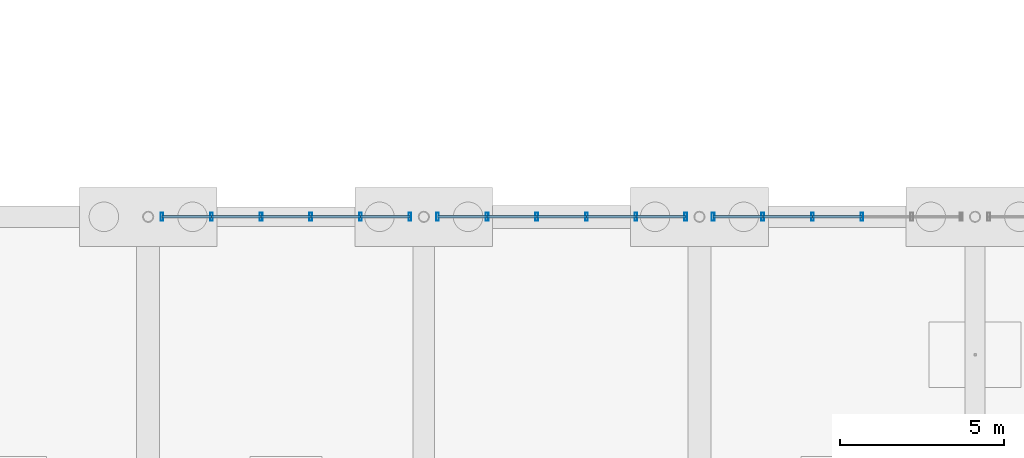
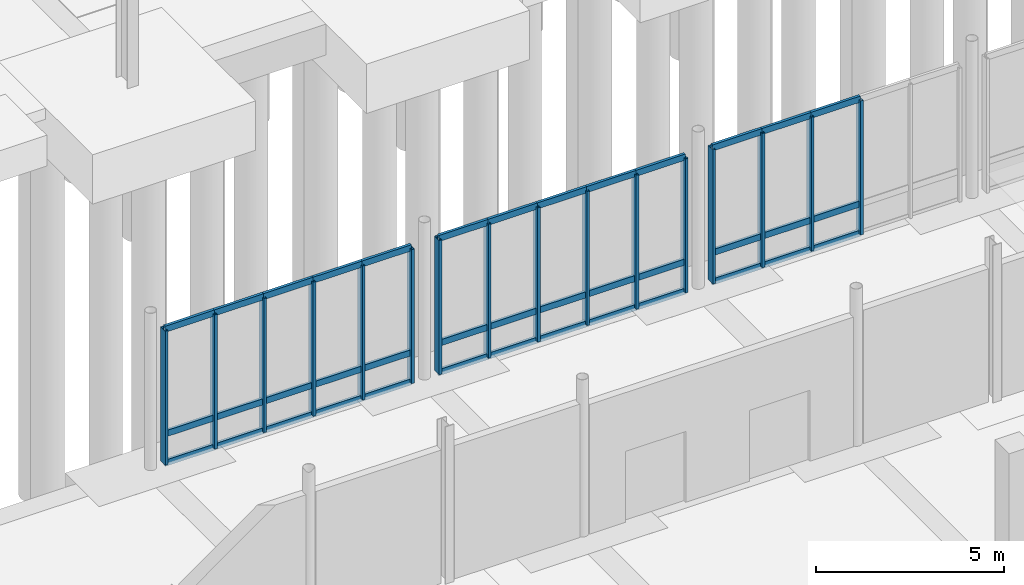
# One storey, part 43 of 119: 55 members, 3 elements without a shape of their own.
"""IFC4 building model written with IfcOpenShell, lengths in metres."""

from ifc_helpers import new_model, si_unit, derived_unit, direction, frame, origin, origin_2d, place, context, subcontext, project, spatial, hollow_rectangle, extrude, material, layer, layer_set, material_profile, profile_set, type_object, element, aggregate, save


model = new_model("IFC4")

# Units and contexts
model_context = context("Model", 3, precision=1e-05, world=origin(), true_north=direction((0.0, 1.0)))
body_context = subcontext(model_context, "Body", "Model", "MODEL_VIEW")
ifc_project = project(units=[si_unit("LENGTHUNIT", "METRE"), si_unit("AREAUNIT", "SQUARE_METRE"), si_unit("VOLUMEUNIT", "CUBIC_METRE"), si_unit("PLANEANGLEUNIT", "RADIAN"), si_unit("MASSUNIT", "GRAM", prefix="KILO"), derived_unit("THERMALTRANSMITTANCEUNIT", [(si_unit("MASSUNIT", "GRAM", prefix="KILO"), 1), (si_unit("TIMEUNIT", "SECOND"), -3), (si_unit("THERMODYNAMICTEMPERATUREUNIT", "KELVIN"), -1)])], contexts=[model_context])

# Site, building, storey
site_placement = place(None, origin())
site = spatial("IfcSite", under=ifc_project, at=site_placement, CompositionType="ELEMENT")
building_placement = place(site_placement, origin())
building = spatial("IfcBuilding", under=site, at=building_placement, Name="Makaiwela Harbour Ferry Terminal", CompositionType="ELEMENT")
storey_placement = place(building_placement, origin())
storey = spatial("IfcBuildingStorey", under=building, at=storey_placement, Name="L00", CompositionType="ELEMENT", Elevation=0.0)

# Curtain wall, members
ifc_material = material(Name="Marine anodised aluminium 6063-T6", Category="aluminium")
ifc_layer = layer(ifc_material, 0.199951171875)
ifc_layer_set = layer_set([ifc_layer], Name="Marine anodised aluminium 6063-T6")
curtain_wall_type = type_object("IfcCurtainWallType", Name="ENV-CW-10", PredefinedType="USERDEFINED", material=ifc_layer_set)
curtain_wall_1_placement = place(storey_placement, origin())
curtain_wall_1 = element("IfcCurtainWall", 1, at=curtain_wall_1_placement, inside=storey, type_object=curtain_wall_type, Name="Unitised Curtain Wall CWA-140", ObjectType="UNITIZED CURTAIN WALL", PredefinedType="USERDEFINED")
ifc_material_profile_1 = material_profile(ifc_material, hollow_rectangle(XDim=0.0849609375, YDim=0.25, WallThickness=0.0048828125, at=origin_2d()), Name="CWM-250X85")
ifc_profile_set_1 = profile_set([ifc_material_profile_1], Name="Marine anodised aluminium 6063-T6")
member_type_1 = type_object("IfcMemberType", Name="CW-MUL-250", PredefinedType="MULLION", material=ifc_profile_set_1)
member_1_placement = place(storey_placement, frame((87.780029296875, 33.60009765625, 0.0), z_axis=(0.0, 0.0, 1.0), x_axis=(1.0, 0.0, 0.0)))
member_1 = element("IfcMember", 2, at=member_1_placement, type_object=member_type_1, Name="Curtain Wall Mullion CWA-140-1", PredefinedType="MULLION", context=body_context, shape_type="SweptSolid", body=[
    extrude(hollow_rectangle(XDim=0.0849609375, YDim=0.25, WallThickness=0.0048828125, at=origin_2d()), origin(), (0.0, 0.0, 1.0), 4.35009765625),
])
member_2_placement = place(storey_placement, frame((86.26806640625, 33.60009765625, 0.0), z_axis=(0.0, 0.0, 1.0), x_axis=(1.0, 0.0, 0.0)))
member_2 = element("IfcMember", 3, at=member_2_placement, type_object=member_type_1, Name="Curtain Wall Mullion CWA-140-2", PredefinedType="MULLION", context=body_context, shape_type="SweptSolid", body=[
    extrude(hollow_rectangle(XDim=0.0849609375, YDim=0.25, WallThickness=0.0048828125, at=origin_2d()), origin(), (0.0, 0.0, 1.0), 4.35009765625),
])
member_3_placement = place(storey_placement, frame((84.756103515625, 33.60009765625, 0.0), z_axis=(0.0, 0.0, 1.0), x_axis=(1.0, 0.0, 0.0)))
member_3 = element("IfcMember", 4, at=member_3_placement, type_object=member_type_1, Name="Curtain Wall Mullion CWA-140-3", PredefinedType="MULLION", context=body_context, shape_type="SweptSolid", body=[
    extrude(hollow_rectangle(XDim=0.0849609375, YDim=0.25, WallThickness=0.0048828125, at=origin_2d()), origin(), (0.0, 0.0, 1.0), 4.35009765625),
])
member_4_placement = place(storey_placement, frame((83.243896484375, 33.60009765625, 0.0), z_axis=(0.0, 0.0, 1.0), x_axis=(1.0, 0.0, 0.0)))
member_4 = element("IfcMember", 5, at=member_4_placement, type_object=member_type_1, Name="Curtain Wall Mullion CWA-140-4", PredefinedType="MULLION", context=body_context, shape_type="SweptSolid", body=[
    extrude(hollow_rectangle(XDim=0.0849609375, YDim=0.25, WallThickness=0.0048828125, at=origin_2d()), origin(), (0.0, 0.0, 1.0), 4.35009765625),
])
member_5_placement = place(storey_placement, frame((81.73193359375, 33.60009765625, 0.0), z_axis=(0.0, 0.0, 1.0), x_axis=(1.0, 0.0, 0.0)))
member_5 = element("IfcMember", 6, at=member_5_placement, type_object=member_type_1, Name="Curtain Wall Mullion CWA-140-5", PredefinedType="MULLION", context=body_context, shape_type="SweptSolid", body=[
    extrude(hollow_rectangle(XDim=0.0849609375, YDim=0.25, WallThickness=0.0048828125, at=origin_2d()), origin(), (0.0, 0.0, 1.0), 4.35009765625),
])
member_6_placement = place(storey_placement, frame((80.219970703125, 33.60009765625, 0.0), z_axis=(0.0, 0.0, 1.0), x_axis=(1.0, 0.0, 0.0)))
member_6 = element("IfcMember", 7, at=member_6_placement, type_object=member_type_1, Name="Curtain Wall Mullion CWA-140-6", PredefinedType="MULLION", context=body_context, shape_type="SweptSolid", body=[
    extrude(hollow_rectangle(XDim=0.0849609375, YDim=0.25, WallThickness=0.0048828125, at=origin_2d()), origin(), (0.0, 0.0, 1.0), 4.35009765625),
])

curtain_wall_2_placement = place(storey_placement, origin())
curtain_wall_2 = element("IfcCurtainWall", 8, at=curtain_wall_2_placement, inside=storey, type_object=curtain_wall_type, Name="Unitised Curtain Wall CWA-142", ObjectType="UNITIZED CURTAIN WALL", PredefinedType="USERDEFINED")
member_7_placement = place(storey_placement, frame((96.179931640625, 33.60009765625, 0.0), z_axis=(0.0, 0.0, 1.0), x_axis=(1.0, 0.0, 0.0)))
member_7 = element("IfcMember", 9, at=member_7_placement, type_object=member_type_1, Name="Curtain Wall Mullion CWA-142-1", PredefinedType="MULLION", context=body_context, shape_type="SweptSolid", body=[
    extrude(hollow_rectangle(XDim=0.0849609375, YDim=0.25, WallThickness=0.0048828125, at=origin_2d()), origin(), (0.0, 0.0, 1.0), 4.35009765625),
])
member_8_placement = place(storey_placement, frame((94.66796875, 33.60009765625, 0.0), z_axis=(0.0, 0.0, 1.0), x_axis=(1.0, 0.0, 0.0)))
member_8 = element("IfcMember", 10, at=member_8_placement, type_object=member_type_1, Name="Curtain Wall Mullion CWA-142-2", PredefinedType="MULLION", context=body_context, shape_type="SweptSolid", body=[
    extrude(hollow_rectangle(XDim=0.0849609375, YDim=0.25, WallThickness=0.0048828125, at=origin_2d()), origin(), (0.0, 0.0, 1.0), 4.35009765625),
])
member_9_placement = place(storey_placement, frame((93.156005859375, 33.60009765625, 0.0), z_axis=(0.0, 0.0, 1.0), x_axis=(1.0, 0.0, 0.0)))
member_9 = element("IfcMember", 11, at=member_9_placement, type_object=member_type_1, Name="Curtain Wall Mullion CWA-142-3", PredefinedType="MULLION", context=body_context, shape_type="SweptSolid", body=[
    extrude(hollow_rectangle(XDim=0.0849609375, YDim=0.25, WallThickness=0.0048828125, at=origin_2d()), origin(), (0.0, 0.0, 1.0), 4.35009765625),
])
member_10_placement = place(storey_placement, frame((91.64404296875, 33.60009765625, 0.0), z_axis=(0.0, 0.0, 1.0), x_axis=(1.0, 0.0, 0.0)))
member_10 = element("IfcMember", 12, at=member_10_placement, type_object=member_type_1, Name="Curtain Wall Mullion CWA-142-4", PredefinedType="MULLION", context=body_context, shape_type="SweptSolid", body=[
    extrude(hollow_rectangle(XDim=0.0849609375, YDim=0.25, WallThickness=0.0048828125, at=origin_2d()), origin(), (0.0, 0.0, 1.0), 4.35009765625),
])
member_11_placement = place(storey_placement, frame((90.132080078125, 33.60009765625, 0.0), z_axis=(0.0, 0.0, 1.0), x_axis=(1.0, 0.0, 0.0)))
member_11 = element("IfcMember", 13, at=member_11_placement, type_object=member_type_1, Name="Curtain Wall Mullion CWA-142-5", PredefinedType="MULLION", context=body_context, shape_type="SweptSolid", body=[
    extrude(hollow_rectangle(XDim=0.0849609375, YDim=0.25, WallThickness=0.0048828125, at=origin_2d()), origin(), (0.0, 0.0, 1.0), 4.35009765625),
])
member_12_placement = place(storey_placement, frame((88.6201171875, 33.60009765625, 0.0), z_axis=(0.0, 0.0, 1.0), x_axis=(1.0, 0.0, 0.0)))
member_12 = element("IfcMember", 14, at=member_12_placement, type_object=member_type_1, Name="Curtain Wall Mullion CWA-142-6", PredefinedType="MULLION", context=body_context, shape_type="SweptSolid", body=[
    extrude(hollow_rectangle(XDim=0.0849609375, YDim=0.25, WallThickness=0.0048828125, at=origin_2d()), origin(), (0.0, 0.0, 1.0), 4.35009765625),
])

curtain_wall_3_placement = place(storey_placement, origin())
curtain_wall_3 = element("IfcCurtainWall", 15, at=curtain_wall_3_placement, inside=storey, type_object=curtain_wall_type, Name="Unitised Curtain Wall CWA-144", ObjectType="UNITIZED CURTAIN WALL", PredefinedType="USERDEFINED")
member_13_placement = place(storey_placement, frame((101.555908203125, 33.60009765625, 0.0), z_axis=(0.0, 0.0, 1.0), x_axis=(1.0, 0.0, 0.0)))
member_13 = element("IfcMember", 16, at=member_13_placement, type_object=member_type_1, Name="Curtain Wall Mullion CWA-144-3", PredefinedType="MULLION", context=body_context, shape_type="SweptSolid", body=[
    extrude(hollow_rectangle(XDim=0.0849609375, YDim=0.25, WallThickness=0.0048828125, at=origin_2d()), origin(), (0.0, 0.0, 1.0), 4.35009765625),
])
member_14_placement = place(storey_placement, frame((100.0439453125, 33.60009765625, 0.0), z_axis=(0.0, 0.0, 1.0), x_axis=(1.0, 0.0, 0.0)))
member_14 = element("IfcMember", 17, at=member_14_placement, type_object=member_type_1, Name="Curtain Wall Mullion CWA-144-4", PredefinedType="MULLION", context=body_context, shape_type="SweptSolid", body=[
    extrude(hollow_rectangle(XDim=0.0849609375, YDim=0.25, WallThickness=0.0048828125, at=origin_2d()), origin(), (0.0, 0.0, 1.0), 4.35009765625),
])
member_15_placement = place(storey_placement, frame((98.531982421875, 33.60009765625, 0.0), z_axis=(0.0, 0.0, 1.0), x_axis=(1.0, 0.0, 0.0)))
member_15 = element("IfcMember", 18, at=member_15_placement, type_object=member_type_1, Name="Curtain Wall Mullion CWA-144-5", PredefinedType="MULLION", context=body_context, shape_type="SweptSolid", body=[
    extrude(hollow_rectangle(XDim=0.0849609375, YDim=0.25, WallThickness=0.0048828125, at=origin_2d()), origin(), (0.0, 0.0, 1.0), 4.35009765625),
])
member_16_placement = place(storey_placement, frame((97.02001953125, 33.60009765625, 0.0), z_axis=(0.0, 0.0, 1.0), x_axis=(1.0, 0.0, 0.0)))
member_16 = element("IfcMember", 19, at=member_16_placement, type_object=member_type_1, Name="Curtain Wall Mullion CWA-144-6", PredefinedType="MULLION", context=body_context, shape_type="SweptSolid", body=[
    extrude(hollow_rectangle(XDim=0.0849609375, YDim=0.25, WallThickness=0.0048828125, at=origin_2d()), origin(), (0.0, 0.0, 1.0), 4.35009765625),
])

# Member
ifc_material_profile_2 = material_profile(ifc_material, hollow_rectangle(XDim=0.0849609375, YDim=0.199951171875, WallThickness=0.0048828125, at=origin_2d()), Name="CWT-200X85")
ifc_profile_set_2 = profile_set([ifc_material_profile_2], Name="Marine anodised aluminium 6063-T6")
member_type_2 = type_object("IfcMemberType", Name="CW-TRN-200", PredefinedType="USERDEFINED", material=ifc_profile_set_2)
member_17_placement = place(storey_placement, frame((87.780029296875, 33.60009765625, 0.0), z_axis=(-1.0, 0.0, 0.0), x_axis=(0.0, -1.0, 0.0)))
member_17 = element("IfcMember", 20, at=member_17_placement, type_object=member_type_2, Name="Curtain Wall Transom CWA-140-1-1", ObjectType="TRANSOM", PredefinedType="USERDEFINED", context=body_context, shape_type="SweptSolid", body=[
    extrude(hollow_rectangle(XDim=0.0849609375, YDim=0.199951171875, WallThickness=0.0048828125, at=origin_2d()), origin(), (0.0, 0.0, 1.0), 1.511962890625),
])

member_18_placement = place(storey_placement, frame((87.780029296875, 33.60009765625, 0.949951171875), z_axis=(-1.0, 0.0, 0.0), x_axis=(0.0, -1.0, 0.0)))
member_18 = element("IfcMember", 21, at=member_18_placement, type_object=member_type_2, Name="Curtain Wall Transom CWA-140-1-2", ObjectType="TRANSOM", PredefinedType="USERDEFINED", context=body_context, shape_type="SweptSolid", body=[
    extrude(hollow_rectangle(XDim=0.0849609375, YDim=0.199951171875, WallThickness=0.0048828125, at=origin_2d()), origin(), (0.0, 0.0, 1.0), 1.511962890625),
])

member_19_placement = place(storey_placement, frame((87.780029296875, 33.60009765625, 4.35009765625), z_axis=(-1.0, 0.0, 0.0), x_axis=(0.0, -1.0, 0.0)))
member_19 = element("IfcMember", 22, at=member_19_placement, type_object=member_type_2, Name="Curtain Wall Transom CWA-140-1-3", ObjectType="TRANSOM", PredefinedType="USERDEFINED", context=body_context, shape_type="SweptSolid", body=[
    extrude(hollow_rectangle(XDim=0.0849609375, YDim=0.199951171875, WallThickness=0.0048828125, at=origin_2d()), origin(), (0.0, 0.0, 1.0), 1.511962890625),
])

member_20_placement = place(storey_placement, frame((86.26806640625, 33.60009765625, 0.0), z_axis=(-1.0, 0.0, 0.0), x_axis=(0.0, -1.0, 0.0)))
member_20 = element("IfcMember", 23, at=member_20_placement, type_object=member_type_2, Name="Curtain Wall Transom CWA-140-2-1", ObjectType="TRANSOM", PredefinedType="USERDEFINED", context=body_context, shape_type="SweptSolid", body=[
    extrude(hollow_rectangle(XDim=0.0849609375, YDim=0.199951171875, WallThickness=0.0048828125, at=origin_2d()), origin(), (0.0, 0.0, 1.0), 1.511962890625),
])

member_21_placement = place(storey_placement, frame((86.26806640625, 33.60009765625, 0.949951171875), z_axis=(-1.0, 0.0, 0.0), x_axis=(0.0, -1.0, 0.0)))
member_21 = element("IfcMember", 24, at=member_21_placement, type_object=member_type_2, Name="Curtain Wall Transom CWA-140-2-2", ObjectType="TRANSOM", PredefinedType="USERDEFINED", context=body_context, shape_type="SweptSolid", body=[
    extrude(hollow_rectangle(XDim=0.0849609375, YDim=0.199951171875, WallThickness=0.0048828125, at=origin_2d()), origin(), (0.0, 0.0, 1.0), 1.511962890625),
])

member_22_placement = place(storey_placement, frame((86.26806640625, 33.60009765625, 4.35009765625), z_axis=(-1.0, 0.0, 0.0), x_axis=(0.0, -1.0, 0.0)))
member_22 = element("IfcMember", 25, at=member_22_placement, type_object=member_type_2, Name="Curtain Wall Transom CWA-140-2-3", ObjectType="TRANSOM", PredefinedType="USERDEFINED", context=body_context, shape_type="SweptSolid", body=[
    extrude(hollow_rectangle(XDim=0.0849609375, YDim=0.199951171875, WallThickness=0.0048828125, at=origin_2d()), origin(), (0.0, 0.0, 1.0), 1.511962890625),
])

member_23_placement = place(storey_placement, frame((84.756103515625, 33.60009765625, 0.0), z_axis=(-1.0, 0.0, 0.0), x_axis=(0.0, -1.0, 0.0)))
member_23 = element("IfcMember", 26, at=member_23_placement, type_object=member_type_2, Name="Curtain Wall Transom CWA-140-3-1", ObjectType="TRANSOM", PredefinedType="USERDEFINED", context=body_context, shape_type="SweptSolid", body=[
    extrude(hollow_rectangle(XDim=0.0849609375, YDim=0.199951171875, WallThickness=0.0048828125, at=origin_2d()), origin(), (0.0, 0.0, 1.0), 1.51220703125),
])

member_24_placement = place(storey_placement, frame((84.756103515625, 33.60009765625, 0.949951171875), z_axis=(-1.0, 0.0, 0.0), x_axis=(0.0, -1.0, 0.0)))
member_24 = element("IfcMember", 27, at=member_24_placement, type_object=member_type_2, Name="Curtain Wall Transom CWA-140-3-2", ObjectType="TRANSOM", PredefinedType="USERDEFINED", context=body_context, shape_type="SweptSolid", body=[
    extrude(hollow_rectangle(XDim=0.0849609375, YDim=0.199951171875, WallThickness=0.0048828125, at=origin_2d()), origin(), (0.0, 0.0, 1.0), 1.51220703125),
])

member_25_placement = place(storey_placement, frame((84.756103515625, 33.60009765625, 4.35009765625), z_axis=(-1.0, 0.0, 0.0), x_axis=(0.0, -1.0, 0.0)))
member_25 = element("IfcMember", 28, at=member_25_placement, type_object=member_type_2, Name="Curtain Wall Transom CWA-140-3-3", ObjectType="TRANSOM", PredefinedType="USERDEFINED", context=body_context, shape_type="SweptSolid", body=[
    extrude(hollow_rectangle(XDim=0.0849609375, YDim=0.199951171875, WallThickness=0.0048828125, at=origin_2d()), origin(), (0.0, 0.0, 1.0), 1.51220703125),
])

member_26_placement = place(storey_placement, frame((83.243896484375, 33.60009765625, 0.0), z_axis=(-1.0, 0.0, 0.0), x_axis=(0.0, -1.0, 0.0)))
member_26 = element("IfcMember", 29, at=member_26_placement, type_object=member_type_2, Name="Curtain Wall Transom CWA-140-4-1", ObjectType="TRANSOM", PredefinedType="USERDEFINED", context=body_context, shape_type="SweptSolid", body=[
    extrude(hollow_rectangle(XDim=0.0849609375, YDim=0.199951171875, WallThickness=0.0048828125, at=origin_2d()), origin(), (0.0, 0.0, 1.0), 1.511962890625),
])

member_27_placement = place(storey_placement, frame((83.243896484375, 33.60009765625, 0.949951171875), z_axis=(-1.0, 0.0, 0.0), x_axis=(0.0, -1.0, 0.0)))
member_27 = element("IfcMember", 30, at=member_27_placement, type_object=member_type_2, Name="Curtain Wall Transom CWA-140-4-2", ObjectType="TRANSOM", PredefinedType="USERDEFINED", context=body_context, shape_type="SweptSolid", body=[
    extrude(hollow_rectangle(XDim=0.0849609375, YDim=0.199951171875, WallThickness=0.0048828125, at=origin_2d()), origin(), (0.0, 0.0, 1.0), 1.511962890625),
])

member_28_placement = place(storey_placement, frame((83.243896484375, 33.60009765625, 4.35009765625), z_axis=(-1.0, 0.0, 0.0), x_axis=(0.0, -1.0, 0.0)))
member_28 = element("IfcMember", 31, at=member_28_placement, type_object=member_type_2, Name="Curtain Wall Transom CWA-140-4-3", ObjectType="TRANSOM", PredefinedType="USERDEFINED", context=body_context, shape_type="SweptSolid", body=[
    extrude(hollow_rectangle(XDim=0.0849609375, YDim=0.199951171875, WallThickness=0.0048828125, at=origin_2d()), origin(), (0.0, 0.0, 1.0), 1.511962890625),
])

member_29_placement = place(storey_placement, frame((81.73193359375, 33.60009765625, 0.0), z_axis=(-1.0, 0.0, 0.0), x_axis=(0.0, -1.0, 0.0)))
member_29 = element("IfcMember", 32, at=member_29_placement, type_object=member_type_2, Name="Curtain Wall Transom CWA-140-5-1", ObjectType="TRANSOM", PredefinedType="USERDEFINED", context=body_context, shape_type="SweptSolid", body=[
    extrude(hollow_rectangle(XDim=0.0849609375, YDim=0.199951171875, WallThickness=0.0048828125, at=origin_2d()), origin(), (0.0, 0.0, 1.0), 1.511962890625),
])

member_30_placement = place(storey_placement, frame((81.73193359375, 33.60009765625, 0.949951171875), z_axis=(-1.0, 0.0, 0.0), x_axis=(0.0, -1.0, 0.0)))
member_30 = element("IfcMember", 33, at=member_30_placement, type_object=member_type_2, Name="Curtain Wall Transom CWA-140-5-2", ObjectType="TRANSOM", PredefinedType="USERDEFINED", context=body_context, shape_type="SweptSolid", body=[
    extrude(hollow_rectangle(XDim=0.0849609375, YDim=0.199951171875, WallThickness=0.0048828125, at=origin_2d()), origin(), (0.0, 0.0, 1.0), 1.511962890625),
])

member_31_placement = place(storey_placement, frame((81.73193359375, 33.60009765625, 4.35009765625), z_axis=(-1.0, 0.0, 0.0), x_axis=(0.0, -1.0, 0.0)))
member_31 = element("IfcMember", 34, at=member_31_placement, type_object=member_type_2, Name="Curtain Wall Transom CWA-140-5-3", ObjectType="TRANSOM", PredefinedType="USERDEFINED", context=body_context, shape_type="SweptSolid", body=[
    extrude(hollow_rectangle(XDim=0.0849609375, YDim=0.199951171875, WallThickness=0.0048828125, at=origin_2d()), origin(), (0.0, 0.0, 1.0), 1.511962890625),
])

aggregate(curtain_wall_1, [member_1, member_2, member_3, member_4, member_5, member_6, member_17, member_18, member_19, member_20, member_21, member_22, member_23, member_24, member_25, member_26, member_27, member_28, member_29, member_30, member_31])

member_32_placement = place(storey_placement, frame((96.179931640625, 33.60009765625, 0.0), z_axis=(-1.0, 0.0, 0.0), x_axis=(0.0, -1.0, 0.0)))
member_32 = element("IfcMember", 35, at=member_32_placement, type_object=member_type_2, Name="Curtain Wall Transom CWA-142-1-1", ObjectType="TRANSOM", PredefinedType="USERDEFINED", context=body_context, shape_type="SweptSolid", body=[
    extrude(hollow_rectangle(XDim=0.0849609375, YDim=0.199951171875, WallThickness=0.0048828125, at=origin_2d()), origin(), (0.0, 0.0, 1.0), 1.511962890625),
])

member_33_placement = place(storey_placement, frame((96.179931640625, 33.60009765625, 0.949951171875), z_axis=(-1.0, 0.0, 0.0), x_axis=(0.0, -1.0, 0.0)))
member_33 = element("IfcMember", 36, at=member_33_placement, type_object=member_type_2, Name="Curtain Wall Transom CWA-142-1-2", ObjectType="TRANSOM", PredefinedType="USERDEFINED", context=body_context, shape_type="SweptSolid", body=[
    extrude(hollow_rectangle(XDim=0.0849609375, YDim=0.199951171875, WallThickness=0.0048828125, at=origin_2d()), origin(), (0.0, 0.0, 1.0), 1.511962890625),
])

member_34_placement = place(storey_placement, frame((96.179931640625, 33.60009765625, 4.35009765625), z_axis=(-1.0, 0.0, 0.0), x_axis=(0.0, -1.0, 0.0)))
member_34 = element("IfcMember", 37, at=member_34_placement, type_object=member_type_2, Name="Curtain Wall Transom CWA-142-1-3", ObjectType="TRANSOM", PredefinedType="USERDEFINED", context=body_context, shape_type="SweptSolid", body=[
    extrude(hollow_rectangle(XDim=0.0849609375, YDim=0.199951171875, WallThickness=0.0048828125, at=origin_2d()), origin(), (0.0, 0.0, 1.0), 1.511962890625),
])

member_35_placement = place(storey_placement, frame((94.66796875, 33.60009765625, 0.0), z_axis=(-1.0, 0.0, 0.0), x_axis=(0.0, -1.0, 0.0)))
member_35 = element("IfcMember", 38, at=member_35_placement, type_object=member_type_2, Name="Curtain Wall Transom CWA-142-2-1", ObjectType="TRANSOM", PredefinedType="USERDEFINED", context=body_context, shape_type="SweptSolid", body=[
    extrude(hollow_rectangle(XDim=0.0849609375, YDim=0.199951171875, WallThickness=0.0048828125, at=origin_2d()), origin(), (0.0, 0.0, 1.0), 1.511962890625),
])

member_36_placement = place(storey_placement, frame((94.66796875, 33.60009765625, 0.949951171875), z_axis=(-1.0, 0.0, 0.0), x_axis=(0.0, -1.0, 0.0)))
member_36 = element("IfcMember", 39, at=member_36_placement, type_object=member_type_2, Name="Curtain Wall Transom CWA-142-2-2", ObjectType="TRANSOM", PredefinedType="USERDEFINED", context=body_context, shape_type="SweptSolid", body=[
    extrude(hollow_rectangle(XDim=0.0849609375, YDim=0.199951171875, WallThickness=0.0048828125, at=origin_2d()), origin(), (0.0, 0.0, 1.0), 1.511962890625),
])

member_37_placement = place(storey_placement, frame((94.66796875, 33.60009765625, 4.35009765625), z_axis=(-1.0, 0.0, 0.0), x_axis=(0.0, -1.0, 0.0)))
member_37 = element("IfcMember", 40, at=member_37_placement, type_object=member_type_2, Name="Curtain Wall Transom CWA-142-2-3", ObjectType="TRANSOM", PredefinedType="USERDEFINED", context=body_context, shape_type="SweptSolid", body=[
    extrude(hollow_rectangle(XDim=0.0849609375, YDim=0.199951171875, WallThickness=0.0048828125, at=origin_2d()), origin(), (0.0, 0.0, 1.0), 1.511962890625),
])

member_38_placement = place(storey_placement, frame((93.156005859375, 33.60009765625, 0.0), z_axis=(-1.0, 0.0, 0.0), x_axis=(0.0, -1.0, 0.0)))
member_38 = element("IfcMember", 41, at=member_38_placement, type_object=member_type_2, Name="Curtain Wall Transom CWA-142-3-1", ObjectType="TRANSOM", PredefinedType="USERDEFINED", context=body_context, shape_type="SweptSolid", body=[
    extrude(hollow_rectangle(XDim=0.0849609375, YDim=0.199951171875, WallThickness=0.0048828125, at=origin_2d()), origin(), (0.0, 0.0, 1.0), 1.511962890625),
])

member_39_placement = place(storey_placement, frame((93.156005859375, 33.60009765625, 0.949951171875), z_axis=(-1.0, 0.0, 0.0), x_axis=(0.0, -1.0, 0.0)))
member_39 = element("IfcMember", 42, at=member_39_placement, type_object=member_type_2, Name="Curtain Wall Transom CWA-142-3-2", ObjectType="TRANSOM", PredefinedType="USERDEFINED", context=body_context, shape_type="SweptSolid", body=[
    extrude(hollow_rectangle(XDim=0.0849609375, YDim=0.199951171875, WallThickness=0.0048828125, at=origin_2d()), origin(), (0.0, 0.0, 1.0), 1.511962890625),
])

member_40_placement = place(storey_placement, frame((93.156005859375, 33.60009765625, 4.35009765625), z_axis=(-1.0, 0.0, 0.0), x_axis=(0.0, -1.0, 0.0)))
member_40 = element("IfcMember", 43, at=member_40_placement, type_object=member_type_2, Name="Curtain Wall Transom CWA-142-3-3", ObjectType="TRANSOM", PredefinedType="USERDEFINED", context=body_context, shape_type="SweptSolid", body=[
    extrude(hollow_rectangle(XDim=0.0849609375, YDim=0.199951171875, WallThickness=0.0048828125, at=origin_2d()), origin(), (0.0, 0.0, 1.0), 1.511962890625),
])

member_41_placement = place(storey_placement, frame((91.64404296875, 33.60009765625, 0.0), z_axis=(-1.0, 0.0, 0.0), x_axis=(0.0, -1.0, 0.0)))
member_41 = element("IfcMember", 44, at=member_41_placement, type_object=member_type_2, Name="Curtain Wall Transom CWA-142-4-1", ObjectType="TRANSOM", PredefinedType="USERDEFINED", context=body_context, shape_type="SweptSolid", body=[
    extrude(hollow_rectangle(XDim=0.0849609375, YDim=0.199951171875, WallThickness=0.0048828125, at=origin_2d()), origin(), (0.0, 0.0, 1.0), 1.511962890625),
])

member_42_placement = place(storey_placement, frame((91.64404296875, 33.60009765625, 0.949951171875), z_axis=(-1.0, 0.0, 0.0), x_axis=(0.0, -1.0, 0.0)))
member_42 = element("IfcMember", 45, at=member_42_placement, type_object=member_type_2, Name="Curtain Wall Transom CWA-142-4-2", ObjectType="TRANSOM", PredefinedType="USERDEFINED", context=body_context, shape_type="SweptSolid", body=[
    extrude(hollow_rectangle(XDim=0.0849609375, YDim=0.199951171875, WallThickness=0.0048828125, at=origin_2d()), origin(), (0.0, 0.0, 1.0), 1.511962890625),
])

member_43_placement = place(storey_placement, frame((91.64404296875, 33.60009765625, 4.35009765625), z_axis=(-1.0, 0.0, 0.0), x_axis=(0.0, -1.0, 0.0)))
member_43 = element("IfcMember", 46, at=member_43_placement, type_object=member_type_2, Name="Curtain Wall Transom CWA-142-4-3", ObjectType="TRANSOM", PredefinedType="USERDEFINED", context=body_context, shape_type="SweptSolid", body=[
    extrude(hollow_rectangle(XDim=0.0849609375, YDim=0.199951171875, WallThickness=0.0048828125, at=origin_2d()), origin(), (0.0, 0.0, 1.0), 1.511962890625),
])

member_44_placement = place(storey_placement, frame((90.132080078125, 33.60009765625, 0.0), z_axis=(-1.0, 0.0, 0.0), x_axis=(0.0, -1.0, 0.0)))
member_44 = element("IfcMember", 47, at=member_44_placement, type_object=member_type_2, Name="Curtain Wall Transom CWA-142-5-1", ObjectType="TRANSOM", PredefinedType="USERDEFINED", context=body_context, shape_type="SweptSolid", body=[
    extrude(hollow_rectangle(XDim=0.0849609375, YDim=0.199951171875, WallThickness=0.0048828125, at=origin_2d()), origin(), (0.0, 0.0, 1.0), 1.511962890625),
])

member_45_placement = place(storey_placement, frame((90.132080078125, 33.60009765625, 0.949951171875), z_axis=(-1.0, 0.0, 0.0), x_axis=(0.0, -1.0, 0.0)))
member_45 = element("IfcMember", 48, at=member_45_placement, type_object=member_type_2, Name="Curtain Wall Transom CWA-142-5-2", ObjectType="TRANSOM", PredefinedType="USERDEFINED", context=body_context, shape_type="SweptSolid", body=[
    extrude(hollow_rectangle(XDim=0.0849609375, YDim=0.199951171875, WallThickness=0.0048828125, at=origin_2d()), origin(), (0.0, 0.0, 1.0), 1.511962890625),
])

member_46_placement = place(storey_placement, frame((90.132080078125, 33.60009765625, 4.35009765625), z_axis=(-1.0, 0.0, 0.0), x_axis=(0.0, -1.0, 0.0)))
member_46 = element("IfcMember", 49, at=member_46_placement, type_object=member_type_2, Name="Curtain Wall Transom CWA-142-5-3", ObjectType="TRANSOM", PredefinedType="USERDEFINED", context=body_context, shape_type="SweptSolid", body=[
    extrude(hollow_rectangle(XDim=0.0849609375, YDim=0.199951171875, WallThickness=0.0048828125, at=origin_2d()), origin(), (0.0, 0.0, 1.0), 1.511962890625),
])

aggregate(curtain_wall_2, [member_7, member_8, member_9, member_10, member_11, member_12, member_32, member_33, member_34, member_35, member_36, member_37, member_38, member_39, member_40, member_41, member_42, member_43, member_44, member_45, member_46])

member_47_placement = place(storey_placement, frame((101.555908203125, 33.60009765625, 0.0), z_axis=(-1.0, 0.0, 0.0), x_axis=(0.0, -1.0, 0.0)))
member_47 = element("IfcMember", 50, at=member_47_placement, type_object=member_type_2, Name="Curtain Wall Transom CWA-144-3-1", ObjectType="TRANSOM", PredefinedType="USERDEFINED", context=body_context, shape_type="SweptSolid", body=[
    extrude(hollow_rectangle(XDim=0.0849609375, YDim=0.199951171875, WallThickness=0.0048828125, at=origin_2d()), origin(), (0.0, 0.0, 1.0), 1.511962890625),
])

member_48_placement = place(storey_placement, frame((101.555908203125, 33.60009765625, 0.949951171875), z_axis=(-1.0, 0.0, 0.0), x_axis=(0.0, -1.0, 0.0)))
member_48 = element("IfcMember", 51, at=member_48_placement, type_object=member_type_2, Name="Curtain Wall Transom CWA-144-3-2", ObjectType="TRANSOM", PredefinedType="USERDEFINED", context=body_context, shape_type="SweptSolid", body=[
    extrude(hollow_rectangle(XDim=0.0849609375, YDim=0.199951171875, WallThickness=0.0048828125, at=origin_2d()), origin(), (0.0, 0.0, 1.0), 1.511962890625),
])

member_49_placement = place(storey_placement, frame((101.555908203125, 33.60009765625, 4.35009765625), z_axis=(-1.0, 0.0, 0.0), x_axis=(0.0, -1.0, 0.0)))
member_49 = element("IfcMember", 52, at=member_49_placement, type_object=member_type_2, Name="Curtain Wall Transom CWA-144-3-3", ObjectType="TRANSOM", PredefinedType="USERDEFINED", context=body_context, shape_type="SweptSolid", body=[
    extrude(hollow_rectangle(XDim=0.0849609375, YDim=0.199951171875, WallThickness=0.0048828125, at=origin_2d()), origin(), (0.0, 0.0, 1.0), 1.511962890625),
])

member_50_placement = place(storey_placement, frame((100.0439453125, 33.60009765625, 0.0), z_axis=(-1.0, 0.0, 0.0), x_axis=(0.0, -1.0, 0.0)))
member_50 = element("IfcMember", 53, at=member_50_placement, type_object=member_type_2, Name="Curtain Wall Transom CWA-144-4-1", ObjectType="TRANSOM", PredefinedType="USERDEFINED", context=body_context, shape_type="SweptSolid", body=[
    extrude(hollow_rectangle(XDim=0.0849609375, YDim=0.199951171875, WallThickness=0.0048828125, at=origin_2d()), origin(), (0.0, 0.0, 1.0), 1.511962890625),
])

member_51_placement = place(storey_placement, frame((100.0439453125, 33.60009765625, 0.949951171875), z_axis=(-1.0, 0.0, 0.0), x_axis=(0.0, -1.0, 0.0)))
member_51 = element("IfcMember", 54, at=member_51_placement, type_object=member_type_2, Name="Curtain Wall Transom CWA-144-4-2", ObjectType="TRANSOM", PredefinedType="USERDEFINED", context=body_context, shape_type="SweptSolid", body=[
    extrude(hollow_rectangle(XDim=0.0849609375, YDim=0.199951171875, WallThickness=0.0048828125, at=origin_2d()), origin(), (0.0, 0.0, 1.0), 1.511962890625),
])

member_52_placement = place(storey_placement, frame((100.0439453125, 33.60009765625, 4.35009765625), z_axis=(-1.0, 0.0, 0.0), x_axis=(0.0, -1.0, 0.0)))
member_52 = element("IfcMember", 55, at=member_52_placement, type_object=member_type_2, Name="Curtain Wall Transom CWA-144-4-3", ObjectType="TRANSOM", PredefinedType="USERDEFINED", context=body_context, shape_type="SweptSolid", body=[
    extrude(hollow_rectangle(XDim=0.0849609375, YDim=0.199951171875, WallThickness=0.0048828125, at=origin_2d()), origin(), (0.0, 0.0, 1.0), 1.511962890625),
])

member_53_placement = place(storey_placement, frame((98.531982421875, 33.60009765625, 0.0), z_axis=(-1.0, 0.0, 0.0), x_axis=(0.0, -1.0, 0.0)))
member_53 = element("IfcMember", 56, at=member_53_placement, type_object=member_type_2, Name="Curtain Wall Transom CWA-144-5-1", ObjectType="TRANSOM", PredefinedType="USERDEFINED", context=body_context, shape_type="SweptSolid", body=[
    extrude(hollow_rectangle(XDim=0.0849609375, YDim=0.199951171875, WallThickness=0.0048828125, at=origin_2d()), origin(), (0.0, 0.0, 1.0), 1.511962890625),
])

member_54_placement = place(storey_placement, frame((98.531982421875, 33.60009765625, 0.949951171875), z_axis=(-1.0, 0.0, 0.0), x_axis=(0.0, -1.0, 0.0)))
member_54 = element("IfcMember", 57, at=member_54_placement, type_object=member_type_2, Name="Curtain Wall Transom CWA-144-5-2", ObjectType="TRANSOM", PredefinedType="USERDEFINED", context=body_context, shape_type="SweptSolid", body=[
    extrude(hollow_rectangle(XDim=0.0849609375, YDim=0.199951171875, WallThickness=0.0048828125, at=origin_2d()), origin(), (0.0, 0.0, 1.0), 1.511962890625),
])

member_55_placement = place(storey_placement, frame((98.531982421875, 33.60009765625, 4.35009765625), z_axis=(-1.0, 0.0, 0.0), x_axis=(0.0, -1.0, 0.0)))
member_55 = element("IfcMember", 58, at=member_55_placement, type_object=member_type_2, Name="Curtain Wall Transom CWA-144-5-3", ObjectType="TRANSOM", PredefinedType="USERDEFINED", context=body_context, shape_type="SweptSolid", body=[
    extrude(hollow_rectangle(XDim=0.0849609375, YDim=0.199951171875, WallThickness=0.0048828125, at=origin_2d()), origin(), (0.0, 0.0, 1.0), 1.511962890625),
])

aggregate(curtain_wall_3, [member_13, member_14, member_15, member_16, member_47, member_48, member_49, member_50, member_51, member_52, member_53, member_54, member_55])

save(model, "model.ifc")
